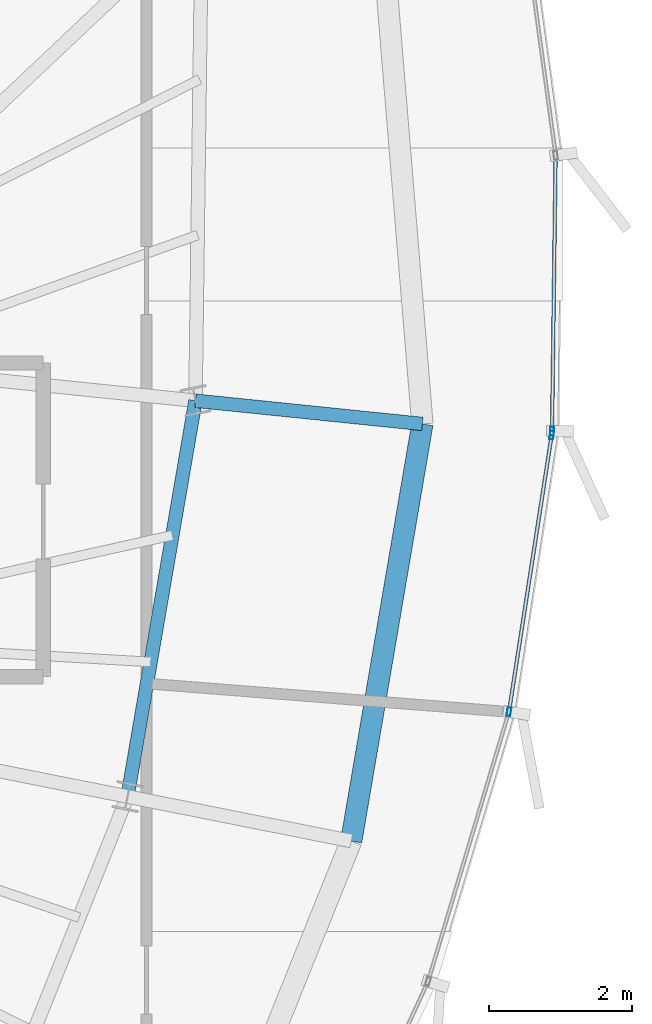
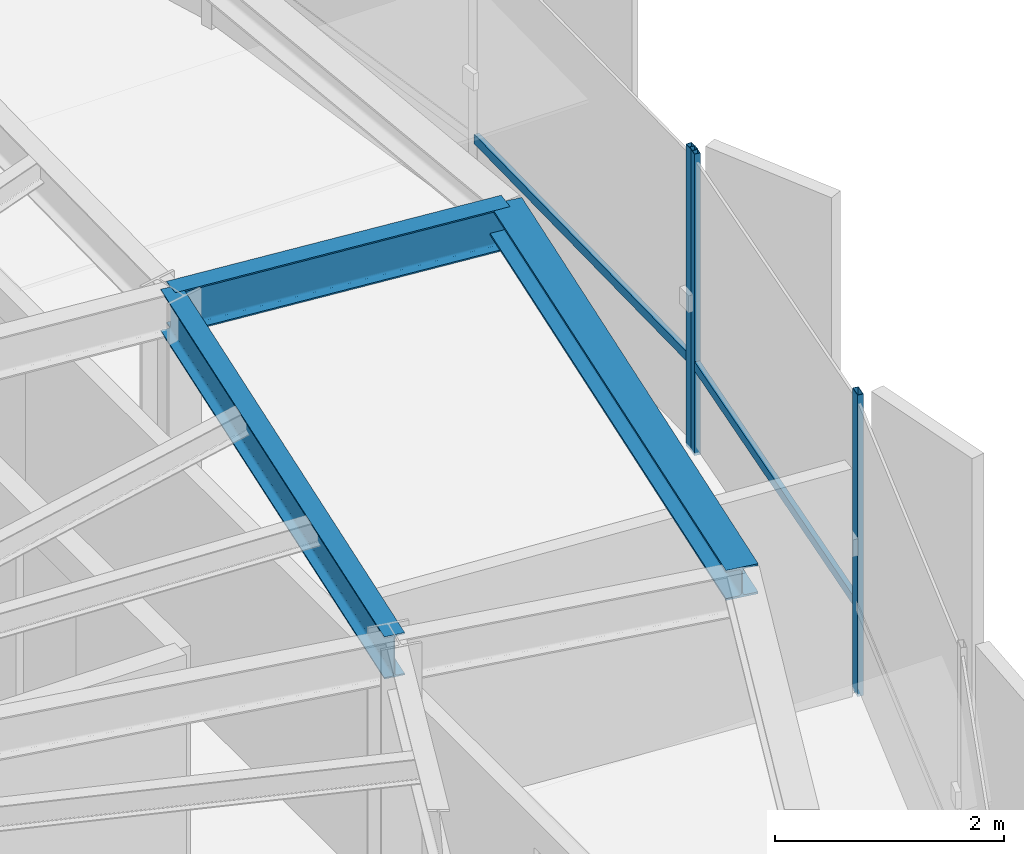
# One storey, part 16 of 32: 5 members, 3 beams, 2 elements without a shape of their own.
"""IFC4 building model written with IfcOpenShell, lengths in metres."""

import ifcopenshell
import ifcopenshell.guid

model = None  # the IFC model being written
_history = None  # IfcOwnerHistory: only IFC2X3 demands one
_inside = {}  # id of a spatial element -> (the spatial element, [elements in it])
_under = {}  # id of a project, library or spatial element -> (it, [spatial elements below it])
_declared = {}  # id of a project -> (the project, [libraries it declares])
_typed = {}  # id of a type object -> (the type object, [elements of that type])
_made_of = {}  # id of a material, layer set ... -> (it, [elements and type objects made of it])


def new_model(schema):
    """Start an empty IFC model of exactly this schema.

    Asked for "IFC4X3", IfcOpenShell would pick the latest addendum, in which some entities
    have other attributes; the version numbers below select the first issue.
    IFC2X3 requires an IfcOwnerHistory on every rooted entity: one is made here for all.
    """
    global model, _history
    if schema == "IFC4X3":
        model = ifcopenshell.file(schema_version=(4, 3, 0, 0))
    else:
        model = ifcopenshell.file(schema=schema)
    _inside.clear()
    _under.clear()
    _declared.clear()
    _typed.clear()
    _made_of.clear()
    _history = None
    if model.schema == "IFC2X3":
        org = make("IfcOrganization", Name="unknown")
        user = make(
            "IfcPersonAndOrganization",
            ThePerson=make("IfcPerson", FamilyName="unknown"),
            TheOrganization=org,
        )
        app = make(
            "IfcApplication",
            ApplicationDeveloper=org,
            Version="unknown",
            ApplicationFullName="unknown",
            ApplicationIdentifier="unknown",
        )
        _history = make(
            "IfcOwnerHistory",
            OwningUser=user,
            OwningApplication=app,
            ChangeAction="ADDED",
            CreationDate=0,
        )
    return model


def make(cls, **values):
    """One entity of the class cls with the attributes given. An attribute that is None is left unset."""
    return model.create_entity(
        cls, **{name: value for name, value in values.items() if value is not None}
    )


def rooted(cls, **values):
    """An entity with a GlobalId (a new one), such as an element, a storey or a relation."""
    return make(cls, GlobalId=ifcopenshell.guid.new(), OwnerHistory=_history, **values)


def si_unit(unit_type, name, prefix=None):
    """IfcSIUnit, for example si_unit("LENGTHUNIT", "METRE", prefix="MILLI")."""
    return make("IfcSIUnit", UnitType=unit_type, Prefix=prefix, Name=name)


def assignment(units):
    """IfcUnitAssignment: the units of a project."""
    return None if units is None else make("IfcUnitAssignment", Units=units)


def point(xyz):
    """IfcCartesianPoint."""
    return None if xyz is None else make("IfcCartesianPoint", Coordinates=xyz)


def direction(xyz):
    """IfcDirection."""
    return None if xyz is None else make("IfcDirection", DirectionRatios=xyz)


def frame(location, z_axis=None, x_axis=None):
    """IfcAxis2Placement3D, a coordinate frame: its origin and axes. An axis left out is left unset."""
    return make(
        "IfcAxis2Placement3D",
        Location=point(location),
        Axis=direction(z_axis),
        RefDirection=direction(x_axis),
    )


def frame_2d(location, x_axis=None):
    """IfcAxis2Placement2D, a coordinate frame in the plane: its origin and x axis."""
    return make(
        "IfcAxis2Placement2D", Location=point(location), RefDirection=direction(x_axis)
    )


def origin():
    """The frame at (0, 0, 0) with its axes left unset."""
    return frame((0.0, 0.0, 0.0))


def origin_2d():
    """The frame at (0, 0) in the plane with its x axis left unset."""
    return frame_2d((0.0, 0.0))


def place(relative_to, where):
    """IfcLocalPlacement: puts the frame where relative to a parent placement (None: the world)."""
    return make(
        "IfcLocalPlacement", PlacementRelTo=relative_to, RelativePlacement=where
    )


def context(
    kind, dimensions, precision=None, world=None, true_north=None, identifier=None
):
    """IfcGeometricRepresentationContext, for example the 3D "Model" context."""
    return make(
        "IfcGeometricRepresentationContext",
        ContextIdentifier=identifier,
        ContextType=kind,
        CoordinateSpaceDimension=dimensions,
        Precision=precision,
        WorldCoordinateSystem=world,
        TrueNorth=true_north,
    )


def subcontext(parent, identifier, kind, view, scale=None):
    """IfcGeometricRepresentationSubContext, for example "Body" below "Model"."""
    return make(
        "IfcGeometricRepresentationSubContext",
        ContextIdentifier=identifier,
        ContextType=kind,
        ParentContext=parent,
        TargetScale=scale,
        TargetView=view,
    )


def project(units=None, contexts=None):
    """IfcProject with its units and contexts."""
    return rooted(
        "IfcProject",
        Name="project",
        RepresentationContexts=contexts,
        UnitsInContext=assignment(units),
    )


def spatial(cls, under=None, at=None, **own):
    """A site, building, storey or space (cls), placed at a placement, below another one or the project."""
    s = rooted(cls, ObjectPlacement=at, **own)
    if under is not None:
        _under.setdefault(under.id(), (under, []))[1].append(s)
    return s


def profile(cls, at=None, kind="AREA", **sizes):
    """A parametric profile (cls). Its sizes go by their IFC names, for example OverallWidth=200.0."""
    return make(cls, ProfileType=kind, Position=at, **sizes)


def hollow_rectangle(**sizes):
    """IfcRectangleHollowProfileDef."""
    return profile("IfcRectangleHollowProfileDef", **sizes)


def i_section(**sizes):
    """IfcIShapeProfileDef."""
    return profile("IfcIShapeProfileDef", **sizes)


def extrude(swept, where, along, depth):
    """IfcExtrudedAreaSolid: the profile swept, set in the frame where, extruded along a direction by depth."""
    return make(
        "IfcExtrudedAreaSolid",
        SweptArea=swept,
        Position=where,
        ExtrudedDirection=direction(along),
        Depth=depth,
    )


def shape(context_of_items, identifier, shape_type, items):
    """IfcShapeRepresentation: the items that make up one representation, for example the "Body"."""
    return make(
        "IfcShapeRepresentation",
        ContextOfItems=context_of_items,
        RepresentationIdentifier=identifier,
        RepresentationType=shape_type,
        Items=items,
    )


def source(mapping_origin, context_of_items, identifier, shape_type, items):
    """IfcRepresentationMap: a shape defined once, which mapped items show again and again."""
    return make(
        "IfcRepresentationMap",
        MappingOrigin=mapping_origin,
        MappedRepresentation=shape(context_of_items, identifier, shape_type, items),
    )


def transform(
    local_origin,
    x_axis=None,
    y_axis=None,
    z_axis=None,
    scale=None,
    scale2=None,
    scale3=None,
    uniform=True,
):
    """IfcCartesianTransformationOperator3D, or its non-uniform kind. x_axis, y_axis, z_axis: its Axis1, 2, 3."""
    if uniform:
        return make(
            "IfcCartesianTransformationOperator3D",
            Axis1=direction(x_axis),
            Axis2=direction(y_axis),
            LocalOrigin=point(local_origin),
            Scale=scale,
            Axis3=direction(z_axis),
        )
    return make(
        "IfcCartesianTransformationOperator3DnonUniform",
        Axis1=direction(x_axis),
        Axis2=direction(y_axis),
        LocalOrigin=point(local_origin),
        Scale=scale,
        Axis3=direction(z_axis),
        Scale2=scale2,
        Scale3=scale3,
    )


def mapped(mapping_source, mapping_target):
    """IfcMappedItem: shows the shape of a source again, moved by a transform."""
    return make(
        "IfcMappedItem", MappingSource=mapping_source, MappingTarget=mapping_target
    )


def material(Name=None, Category=None):
    """IfcMaterial."""
    return make("IfcMaterial", Name=Name, Category=Category)


def layer(
    of_material, thickness, ventilated=None, Name=None, Category=None, Priority=None
):
    """IfcMaterialLayer: one layer of a wall or slab, of a material (None: an air gap)."""
    return make(
        "IfcMaterialLayer",
        Material=of_material,
        LayerThickness=thickness,
        IsVentilated=ventilated,
        Name=Name,
        Category=Category,
        Priority=Priority,
    )


def layer_set(layers, Name=None):
    """IfcMaterialLayerSet."""
    return make("IfcMaterialLayerSet", MaterialLayers=layers, LayerSetName=Name)


def material_profile(
    of_material, cross_section, Name=None, Category=None, Priority=None
):
    """IfcMaterialProfile: a cross section and its material."""
    return make(
        "IfcMaterialProfile",
        Name=Name,
        Material=of_material,
        Profile=cross_section,
        Priority=Priority,
        Category=Category,
    )


def profile_set(profiles, Name=None, composite=None):
    """IfcMaterialProfileSet."""
    return make(
        "IfcMaterialProfileSet",
        Name=Name,
        MaterialProfiles=profiles,
        CompositeProfile=composite,
    )


def made_of(thing, what):
    """Note that an element or type object is made of a material, layer set ...; save() writes the relation."""
    if what is not None:
        _made_of.setdefault(what.id(), (what, []))[1].append(thing)
    return thing


def type_object(cls, material=None, **own):
    """A type object (cls), such as IfcWallType, which elements share."""
    return made_of(rooted(cls, **own), material)


def element(
    cls,
    number,
    at=None,
    inside=None,
    cuts=None,
    type_object=None,
    material=None,
    context=None,
    identifier="Body",
    shape_type=None,
    held_by="IfcProductDefinitionShape",
    body=None,
    shapes=None,
    **own,
):
    """One element of the class cls, such as IfcWall. Its Tag is "e" and its number.

    at: its placement. inside: the storey or other place that contains it. cuts: it is an
    opening in that element (IfcRelVoidsElement). A single representation is given by context,
    identifier, shape_type and body (its items); several are given by shapes. held_by: the class
    of the entity that holds the representations. save() writes the other relations.
    """
    e = rooted(cls, Tag="e%d" % number, ObjectPlacement=at, **own)
    if body is not None:
        shapes = [shape(context, identifier, shape_type, body)]
    if shapes is not None:
        e.Representation = make(held_by, Representations=shapes)
    if inside is not None:
        _inside.setdefault(inside.id(), (inside, []))[1].append(e)
    if cuts is not None:
        rooted(
            "IfcRelVoidsElement", RelatingBuildingElement=cuts, RelatedOpeningElement=e
        )
    if type_object is not None:
        _typed.setdefault(type_object.id(), (type_object, []))[1].append(e)
    return made_of(e, material)


def aggregate(whole, parts):
    """IfcRelAggregates: a whole, such as a stair, and the parts it consists of."""
    return rooted("IfcRelAggregates", RelatingObject=whole, RelatedObjects=parts)


def save(model, path):
    """Write the relations noted so far, then the file.

    IfcRelAggregates (storeys below a building ...), IfcRelContainedInSpatialStructure (elements
    in a storey), IfcRelDefinesByType, IfcRelAssociatesMaterial and IfcRelDeclares: one each for
    every whole, place, type object, material and project.
    """
    for whole, parts in _under.values():
        aggregate(whole, parts)
    for where, things in _inside.values():
        rooted(
            "IfcRelContainedInSpatialStructure",
            RelatedElements=things,
            RelatingStructure=where,
        )
    for kind, things in _typed.values():
        rooted("IfcRelDefinesByType", RelatedObjects=things, RelatingType=kind)
    for what, things in _made_of.values():
        rooted("IfcRelAssociatesMaterial", RelatedObjects=things, RelatingMaterial=what)
    for by, libraries in _declared.values():
        rooted("IfcRelDeclares", RelatingContext=by, RelatedDefinitions=libraries)
    model.write(path)


model = new_model("IFC4")

# Units and contexts
model_context = context("Model", 3, precision=1e-05, world=origin(), true_north=direction((0.0, 1.0)))
body_context = subcontext(model_context, "Body", "Model", "MODEL_VIEW")
ifc_project = project(units=[si_unit("LENGTHUNIT", "METRE"), si_unit("AREAUNIT", "SQUARE_METRE"), si_unit("VOLUMEUNIT", "CUBIC_METRE"), si_unit("PLANEANGLEUNIT", "RADIAN"), si_unit("MASSUNIT", "GRAM", prefix="KILO"), si_unit("THERMODYNAMICTEMPERATUREUNIT", "KELVIN")], contexts=[model_context])

# Site, building, storey
site_placement = place(None, origin())
site = spatial("IfcSite", under=ifc_project, at=site_placement, CompositionType="ELEMENT")
building_placement = place(site_placement, origin())
building = spatial("IfcBuilding", under=site, at=building_placement, Name="Kethvar Cultural Tower", CompositionType="ELEMENT")
storey_placement = place(building_placement, frame((0.0, 0.0, 280.14990234375)))
storey = spatial("IfcBuildingStorey", under=building, at=storey_placement, Name="L74", CompositionType="ELEMENT", Elevation=280.14990234375)

# Beams
ifc_material_1 = material(Name="Steel S355J2", Category="steel")
ifc_material_profile_1 = material_profile(ifc_material_1, i_section(OverallWidth=0.18994140625, OverallDepth=0.449951171875, WebThickness=0.009521484375, FlangeThickness=0.0146484375, FilletRadius=0.02099609375, at=origin_2d()), Name="Steel S355J2 — IPE450")
ifc_profile_set_1 = profile_set([ifc_material_profile_1], Name="Steel S355J2 — IPE450")
beam_type_1 = type_object("IfcBeamType", Name="BM-IPE450", PredefinedType="BEAM", material=ifc_profile_set_1)
shared_shape_1 = source(origin(), body_context, "Body", "SweptSolid", [
    extrude(i_section(OverallWidth=0.18994140625, OverallDepth=0.449951171875, WebThickness=0.009521484375, FlangeThickness=0.0146484375, FilletRadius=0.02099609375, at=origin_2d()), origin(), (0.0, 0.0, 1.0), 3.199951171875),
])
beam_1_placement = place(storey_placement, frame((61.237060546875, 30.671630859375, 2.983154296875), z_axis=(0.994784019447, -0.10200369921, 0.0), x_axis=(0.10200369921, 0.994784019447, 0.0)))
element("IfcBeam", 1, at=beam_1_placement, inside=storey, type_object=beam_type_1, Name="L74 Perimeter Cantilever Beam RC-01", PredefinedType="BEAM", context=body_context, shape_type="MappedRepresentation", body=[
    mapped(shared_shape_1, transform((0.0, 0.0, 0.0), scale=1.0)),
])
shared_shape_2 = source(origin(), body_context, "Body", "SweptSolid", [
    extrude(i_section(OverallWidth=0.18994140625, OverallDepth=0.449951171875, WebThickness=0.009521484375, FlangeThickness=0.0146484375, FilletRadius=0.02099609375, at=origin_2d()), origin(), (0.0, 0.0, 1.0), 5.635009765625),
])
beam_2_placement = place(storey_placement, frame((60.28369140625, 25.117919921875, 2.983154296875), z_axis=(0.169188687614, 0.985583678834, 0.0), x_axis=(-0.985583678834, 0.169188687614, 0.0)))
element("IfcBeam", 2, at=beam_2_placement, inside=storey, type_object=beam_type_1, Name="L74 Column Ring Tie Beam CR-16", PredefinedType="BEAM", context=body_context, shape_type="MappedRepresentation", body=[
    mapped(shared_shape_2, transform((0.0, 0.0, 0.0), scale=1.0)),
])
ifc_material_profile_2 = material_profile(ifc_material_1, i_section(OverallWidth=0.300048828125, OverallDepth=0.320068359375, WebThickness=0.011474609375, FlangeThickness=0.0205078125, FilletRadius=0.027099609375, at=origin_2d()), Name="Steel S355J2 — HEB320")
ifc_profile_set_2 = profile_set([ifc_material_profile_2], Name="Steel S355J2 — HEB320")
beam_type_2 = type_object("IfcBeamType", Name="BM-SP320", PredefinedType="SPANDREL", material=ifc_profile_set_2)
shared_shape_3 = source(origin(), body_context, "Body", "SweptSolid", [
    extrude(i_section(OverallWidth=0.300048828125, OverallDepth=0.320068359375, WebThickness=0.011474609375, FlangeThickness=0.0205078125, FilletRadius=0.027099609375, at=origin_2d()), origin(), (0.0, 0.0, 1.0), 5.93603515625),
])
beam_3_placement = place(storey_placement, frame((63.422119140625, 24.49365234375, 3.048095703125), z_axis=(0.16817267321, 0.985757552335, 0.0), x_axis=(-0.985757552335, 0.16817267321, 0.0)))
element("IfcBeam", 3, at=beam_3_placement, inside=storey, type_object=beam_type_2, Name="L74 Perimeter Spandrel Beam SP-16", PredefinedType="SPANDREL", context=body_context, shape_type="MappedRepresentation", body=[
    mapped(shared_shape_3, transform((0.0, 0.0, 0.0), scale=1.0)),
])

# Curtain wall, members
ifc_material_2 = material(Name="Aluminium 6063-T6", Category="aluminium")
ifc_layer = layer(ifc_material_2, 0.179931640625, Name="Aluminium 6063-T6", Category="aluminium")
ifc_layer_set = layer_set([ifc_layer], Name="Aluminium 6063-T6 (180 mm)")
curtain_wall_type = type_object("IfcCurtainWallType", Name="CW-SYS-05-Z56", PredefinedType="NOTDEFINED", material=ifc_layer_set)
curtain_wall_1_placement = place(storey_placement, origin())
curtain_wall_1 = element("IfcCurtainWall", 4, at=curtain_wall_1_placement, inside=storey, type_object=curtain_wall_type, Name="L74 Curtain Wall Run 05", PredefinedType="NOTDEFINED")
ifc_material_profile_3 = material_profile(ifc_material_2, hollow_rectangle(XDim=0.054931640625, YDim=0.1201171875, WallThickness=0.00390625, at=origin_2d()), Name="Aluminium 6063-T6 — RHS120x55x4")
ifc_profile_set_3 = profile_set([ifc_material_profile_3], Name="Aluminium 6063-T6 — RHS120x55x4")
member_type_1 = type_object("IfcMemberType", Name="CW-SYS-05-Z56-MUL", PredefinedType="MULLION", material=ifc_profile_set_3)
shared_shape_4 = source(origin(), body_context, "Body", "SweptSolid", [
    extrude(hollow_rectangle(XDim=0.054931640625, YDim=0.1201171875, WallThickness=0.00390625, at=origin_2d()), origin(), (0.0, 0.0, 1.0), 3.210205078125),
])
member_1_placement = place(storey_placement, frame((65.63525390625, 26.305908203125, 0.0), z_axis=(0.0, 0.0, 1.0), x_axis=(-0.988295040036, 0.152554625759, 0.0)))
member_1 = element("IfcMember", 5, at=member_1_placement, type_object=member_type_1, Name="CW-L74-R05 Mullion 6", PredefinedType="MULLION", context=body_context, shape_type="MappedRepresentation", body=[
    mapped(shared_shape_4, transform((0.0, 0.0, 0.0), scale=1.0)),
])
member_2_placement = place(storey_placement, frame((66.234619140625, 30.189208984375, 0.0), z_axis=(0.0, 0.0, 1.0), x_axis=(-0.988295040036, 0.152554625759, 0.0)))
member_2 = element("IfcMember", 6, at=member_2_placement, type_object=member_type_1, Name="CW-L74-R05 Mullion 7", PredefinedType="MULLION", context=body_context, shape_type="MappedRepresentation", body=[
    mapped(shared_shape_4, transform((0.0, 0.0, 0.0), scale=1.0)),
])

curtain_wall_2_placement = place(storey_placement, origin())
curtain_wall_2 = element("IfcCurtainWall", 7, at=curtain_wall_2_placement, inside=storey, type_object=curtain_wall_type, Name="L74 Curtain Wall Run 06", PredefinedType="NOTDEFINED")
member_3_placement = place(storey_placement, frame((66.239501953125, 30.24609375, 0.0), z_axis=(0.0, 0.0, 1.0), x_axis=(-0.999915919307, 0.012967432893, 0.0)))
member_3 = element("IfcMember", 8, at=member_3_placement, type_object=member_type_1, Name="CW-L74-R06 Mullion 1", PredefinedType="MULLION", context=body_context, shape_type="MappedRepresentation", body=[
    mapped(shared_shape_4, transform((0.0, 0.0, 0.0), scale=1.0)),
])
ifc_material_profile_4 = material_profile(ifc_material_2, hollow_rectangle(XDim=0.050048828125, YDim=0.10009765625, WallThickness=0.00390625, at=origin_2d()), Name="Aluminium 6063-T6 — RHS100x50x4")
ifc_profile_set_4 = profile_set([ifc_material_profile_4], Name="Aluminium 6063-T6 — RHS100x50x4")
member_type_2 = type_object("IfcMemberType", Name="CW-SYS-05-Z56-TRN", PredefinedType="USERDEFINED", material=ifc_profile_set_4)
shared_shape_5 = source(origin(), body_context, "Body", "SweptSolid", [
    extrude(hollow_rectangle(XDim=0.050048828125, YDim=0.10009765625, WallThickness=0.00390625, at=origin_2d()), origin(), (0.0, 0.0, 1.0), 3.838623046875),
])
member_4_placement = place(storey_placement, frame((66.239501953125, 30.25, 0.9501953125), z_axis=(0.012974356266, 0.999915829497, 0.0), x_axis=(-0.999915829497, 0.012974356266, 0.0)))
member_4 = element("IfcMember", 9, at=member_4_placement, type_object=member_type_2, Name="CW-L74-R06 Transom 1", ObjectType="TRANSOM", PredefinedType="USERDEFINED", context=body_context, shape_type="MappedRepresentation", body=[
    mapped(shared_shape_5, transform((0.0, 0.0, 0.0), scale=1.0)),
])
aggregate(curtain_wall_2, [member_3, member_4])

# Member
shared_shape_6 = source(origin(), body_context, "Body", "SweptSolid", [
    extrude(hollow_rectangle(XDim=0.050048828125, YDim=0.10009765625, WallThickness=0.00390625, at=origin_2d()), origin(), (0.0, 0.0, 1.0), 3.885498046875),
])
member_5_placement = place(storey_placement, frame((65.64111328125, 26.34521484375, 0.9501953125), z_axis=(0.152557646702, 0.988294573714, 0.0), x_axis=(-0.988294573714, 0.152557646702, 0.0)))
member_5 = element("IfcMember", 10, at=member_5_placement, type_object=member_type_2, Name="CW-L74-R05 Transom 6", ObjectType="TRANSOM", PredefinedType="USERDEFINED", context=body_context, shape_type="MappedRepresentation", body=[
    mapped(shared_shape_6, transform((0.0, 0.0, 0.0), scale=1.0)),
])

aggregate(curtain_wall_1, [member_1, member_2, member_5])

save(model, "model.ifc")
